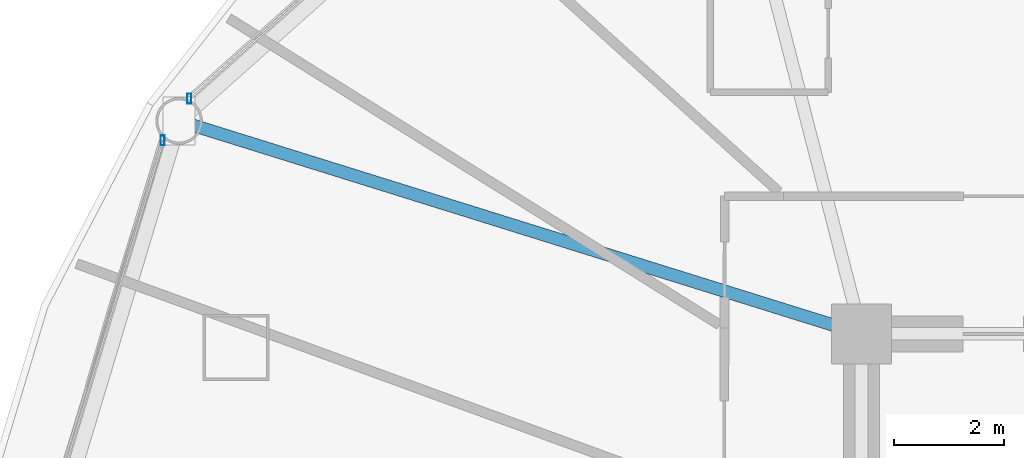
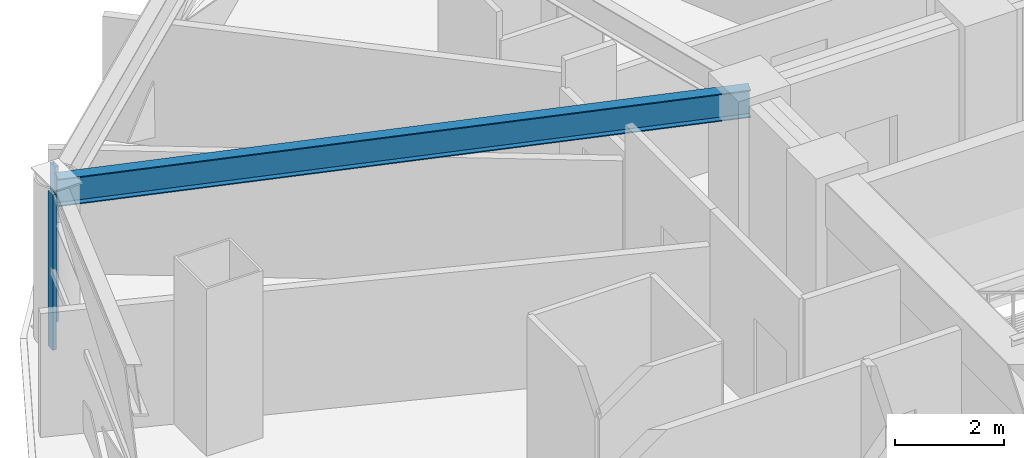
# One storey, part 14 of 31: 2 members, 1 beam, 2 elements without a shape of their own.
"""IFC4 building model written with IfcOpenShell, lengths in metres."""

import ifcopenshell
import ifcopenshell.guid

model = None  # the IFC model being written
_history = None  # IfcOwnerHistory: only IFC2X3 demands one
_inside = {}  # id of a spatial element -> (the spatial element, [elements in it])
_under = {}  # id of a project, library or spatial element -> (it, [spatial elements below it])
_declared = {}  # id of a project -> (the project, [libraries it declares])
_typed = {}  # id of a type object -> (the type object, [elements of that type])
_made_of = {}  # id of a material, layer set ... -> (it, [elements and type objects made of it])


def new_model(schema):
    """Start an empty IFC model of exactly this schema.

    Asked for "IFC4X3", IfcOpenShell would pick the latest addendum, in which some entities
    have other attributes; the version numbers below select the first issue.
    IFC2X3 requires an IfcOwnerHistory on every rooted entity: one is made here for all.
    """
    global model, _history
    if schema == "IFC4X3":
        model = ifcopenshell.file(schema_version=(4, 3, 0, 0))
    else:
        model = ifcopenshell.file(schema=schema)
    _inside.clear()
    _under.clear()
    _declared.clear()
    _typed.clear()
    _made_of.clear()
    _history = None
    if model.schema == "IFC2X3":
        org = make("IfcOrganization", Name="unknown")
        user = make(
            "IfcPersonAndOrganization",
            ThePerson=make("IfcPerson", FamilyName="unknown"),
            TheOrganization=org,
        )
        app = make(
            "IfcApplication",
            ApplicationDeveloper=org,
            Version="unknown",
            ApplicationFullName="unknown",
            ApplicationIdentifier="unknown",
        )
        _history = make(
            "IfcOwnerHistory",
            OwningUser=user,
            OwningApplication=app,
            ChangeAction="ADDED",
            CreationDate=0,
        )
    return model


def make(cls, **values):
    """One entity of the class cls with the attributes given. An attribute that is None is left unset."""
    return model.create_entity(
        cls, **{name: value for name, value in values.items() if value is not None}
    )


def rooted(cls, **values):
    """An entity with a GlobalId (a new one), such as an element, a storey or a relation."""
    return make(cls, GlobalId=ifcopenshell.guid.new(), OwnerHistory=_history, **values)


def si_unit(unit_type, name, prefix=None):
    """IfcSIUnit, for example si_unit("LENGTHUNIT", "METRE", prefix="MILLI")."""
    return make("IfcSIUnit", UnitType=unit_type, Prefix=prefix, Name=name)


def assignment(units):
    """IfcUnitAssignment: the units of a project."""
    return None if units is None else make("IfcUnitAssignment", Units=units)


def point(xyz):
    """IfcCartesianPoint."""
    return None if xyz is None else make("IfcCartesianPoint", Coordinates=xyz)


def direction(xyz):
    """IfcDirection."""
    return None if xyz is None else make("IfcDirection", DirectionRatios=xyz)


def frame(location, z_axis=None, x_axis=None):
    """IfcAxis2Placement3D, a coordinate frame: its origin and axes. An axis left out is left unset."""
    return make(
        "IfcAxis2Placement3D",
        Location=point(location),
        Axis=direction(z_axis),
        RefDirection=direction(x_axis),
    )


def frame_2d(location, x_axis=None):
    """IfcAxis2Placement2D, a coordinate frame in the plane: its origin and x axis."""
    return make(
        "IfcAxis2Placement2D", Location=point(location), RefDirection=direction(x_axis)
    )


def origin():
    """The frame at (0, 0, 0) with its axes left unset."""
    return frame((0.0, 0.0, 0.0))


def origin_2d():
    """The frame at (0, 0) in the plane with its x axis left unset."""
    return frame_2d((0.0, 0.0))


def place(relative_to, where):
    """IfcLocalPlacement: puts the frame where relative to a parent placement (None: the world)."""
    return make(
        "IfcLocalPlacement", PlacementRelTo=relative_to, RelativePlacement=where
    )


def context(
    kind, dimensions, precision=None, world=None, true_north=None, identifier=None
):
    """IfcGeometricRepresentationContext, for example the 3D "Model" context."""
    return make(
        "IfcGeometricRepresentationContext",
        ContextIdentifier=identifier,
        ContextType=kind,
        CoordinateSpaceDimension=dimensions,
        Precision=precision,
        WorldCoordinateSystem=world,
        TrueNorth=true_north,
    )


def subcontext(parent, identifier, kind, view, scale=None):
    """IfcGeometricRepresentationSubContext, for example "Body" below "Model"."""
    return make(
        "IfcGeometricRepresentationSubContext",
        ContextIdentifier=identifier,
        ContextType=kind,
        ParentContext=parent,
        TargetScale=scale,
        TargetView=view,
    )


def project(units=None, contexts=None):
    """IfcProject with its units and contexts."""
    return rooted(
        "IfcProject",
        Name="project",
        RepresentationContexts=contexts,
        UnitsInContext=assignment(units),
    )


def spatial(cls, under=None, at=None, **own):
    """A site, building, storey or space (cls), placed at a placement, below another one or the project."""
    s = rooted(cls, ObjectPlacement=at, **own)
    if under is not None:
        _under.setdefault(under.id(), (under, []))[1].append(s)
    return s


def profile(cls, at=None, kind="AREA", **sizes):
    """A parametric profile (cls). Its sizes go by their IFC names, for example OverallWidth=200.0."""
    return make(cls, ProfileType=kind, Position=at, **sizes)


def hollow_rectangle(**sizes):
    """IfcRectangleHollowProfileDef."""
    return profile("IfcRectangleHollowProfileDef", **sizes)


def i_section(**sizes):
    """IfcIShapeProfileDef."""
    return profile("IfcIShapeProfileDef", **sizes)


def extrude(swept, where, along, depth):
    """IfcExtrudedAreaSolid: the profile swept, set in the frame where, extruded along a direction by depth."""
    return make(
        "IfcExtrudedAreaSolid",
        SweptArea=swept,
        Position=where,
        ExtrudedDirection=direction(along),
        Depth=depth,
    )


def shape(context_of_items, identifier, shape_type, items):
    """IfcShapeRepresentation: the items that make up one representation, for example the "Body"."""
    return make(
        "IfcShapeRepresentation",
        ContextOfItems=context_of_items,
        RepresentationIdentifier=identifier,
        RepresentationType=shape_type,
        Items=items,
    )


def material(Name=None, Category=None):
    """IfcMaterial."""
    return make("IfcMaterial", Name=Name, Category=Category)


def layer(
    of_material, thickness, ventilated=None, Name=None, Category=None, Priority=None
):
    """IfcMaterialLayer: one layer of a wall or slab, of a material (None: an air gap)."""
    return make(
        "IfcMaterialLayer",
        Material=of_material,
        LayerThickness=thickness,
        IsVentilated=ventilated,
        Name=Name,
        Category=Category,
        Priority=Priority,
    )


def layer_set(layers, Name=None):
    """IfcMaterialLayerSet."""
    return make("IfcMaterialLayerSet", MaterialLayers=layers, LayerSetName=Name)


def material_profile(
    of_material, cross_section, Name=None, Category=None, Priority=None
):
    """IfcMaterialProfile: a cross section and its material."""
    return make(
        "IfcMaterialProfile",
        Name=Name,
        Material=of_material,
        Profile=cross_section,
        Priority=Priority,
        Category=Category,
    )


def profile_set(profiles, Name=None, composite=None):
    """IfcMaterialProfileSet."""
    return make(
        "IfcMaterialProfileSet",
        Name=Name,
        MaterialProfiles=profiles,
        CompositeProfile=composite,
    )


def made_of(thing, what):
    """Note that an element or type object is made of a material, layer set ...; save() writes the relation."""
    if what is not None:
        _made_of.setdefault(what.id(), (what, []))[1].append(thing)
    return thing


def type_object(cls, material=None, **own):
    """A type object (cls), such as IfcWallType, which elements share."""
    return made_of(rooted(cls, **own), material)


def element(
    cls,
    number,
    at=None,
    inside=None,
    cuts=None,
    type_object=None,
    material=None,
    context=None,
    identifier="Body",
    shape_type=None,
    held_by="IfcProductDefinitionShape",
    body=None,
    shapes=None,
    **own,
):
    """One element of the class cls, such as IfcWall. Its Tag is "e" and its number.

    at: its placement. inside: the storey or other place that contains it. cuts: it is an
    opening in that element (IfcRelVoidsElement). A single representation is given by context,
    identifier, shape_type and body (its items); several are given by shapes. held_by: the class
    of the entity that holds the representations. save() writes the other relations.
    """
    e = rooted(cls, Tag="e%d" % number, ObjectPlacement=at, **own)
    if body is not None:
        shapes = [shape(context, identifier, shape_type, body)]
    if shapes is not None:
        e.Representation = make(held_by, Representations=shapes)
    if inside is not None:
        _inside.setdefault(inside.id(), (inside, []))[1].append(e)
    if cuts is not None:
        rooted(
            "IfcRelVoidsElement", RelatingBuildingElement=cuts, RelatedOpeningElement=e
        )
    if type_object is not None:
        _typed.setdefault(type_object.id(), (type_object, []))[1].append(e)
    return made_of(e, material)


def aggregate(whole, parts):
    """IfcRelAggregates: a whole, such as a stair, and the parts it consists of."""
    return rooted("IfcRelAggregates", RelatingObject=whole, RelatedObjects=parts)


def save(model, path):
    """Write the relations noted so far, then the file.

    IfcRelAggregates (storeys below a building ...), IfcRelContainedInSpatialStructure (elements
    in a storey), IfcRelDefinesByType, IfcRelAssociatesMaterial and IfcRelDeclares: one each for
    every whole, place, type object, material and project.
    """
    for whole, parts in _under.values():
        aggregate(whole, parts)
    for where, things in _inside.values():
        rooted(
            "IfcRelContainedInSpatialStructure",
            RelatedElements=things,
            RelatingStructure=where,
        )
    for kind, things in _typed.values():
        rooted("IfcRelDefinesByType", RelatedObjects=things, RelatingType=kind)
    for what, things in _made_of.values():
        rooted("IfcRelAssociatesMaterial", RelatedObjects=things, RelatingMaterial=what)
    for by, libraries in _declared.values():
        rooted("IfcRelDeclares", RelatingContext=by, RelatedDefinitions=libraries)
    model.write(path)


model = new_model("IFC4")

# Units and contexts
model_context = context("Model", 3, precision=1e-05, world=origin(), true_north=direction((0.0, 1.0)))
body_context = subcontext(model_context, "Body", "Model", "MODEL_VIEW")
ifc_project = project(units=[si_unit("LENGTHUNIT", "METRE"), si_unit("AREAUNIT", "SQUARE_METRE"), si_unit("VOLUMEUNIT", "CUBIC_METRE"), si_unit("PLANEANGLEUNIT", "RADIAN"), si_unit("MASSUNIT", "GRAM", prefix="KILO")], contexts=[model_context])

# Site, building, storey
site_placement = place(None, origin())
site = spatial("IfcSite", under=ifc_project, at=site_placement, CompositionType="ELEMENT")
building_placement = place(site_placement, origin())
building = spatial("IfcBuilding", under=site, at=building_placement, Name="Vantalir Tower", CompositionType="ELEMENT")
storey_placement = place(building_placement, frame((0.0, 0.0, 30.75)))
storey = spatial("IfcBuildingStorey", under=building, at=storey_placement, Name="L06", CompositionType="ELEMENT", Elevation=30.75)

# Beam
ifc_material_1 = material(Name="Steel S355", Category="steel")
ifc_material_profile_1 = material_profile(ifc_material_1, i_section(OverallWidth=0.22998046875, OverallDepth=0.616943359375, WebThickness=0.01318359375, FlangeThickness=0.022216796875, at=origin_2d()), Name="Steel S355")
ifc_profile_set_1 = profile_set([ifc_material_profile_1], Name="Steel S355")
beam_type = type_object("IfcBeamType", Name="BM-RB-610x229", PredefinedType="BEAM", material=ifc_profile_set_1)
beam_placement = place(storey_placement, frame((9.4599609375, 36.33203125, 3.261962890625), z_axis=(0.954597910708, -0.297897346198, 0.0), x_axis=(0.297897346198, 0.954597910708, 0.0)))
element("IfcBeam", 1, at=beam_placement, inside=storey, type_object=beam_type, Name="L06 Radial Floor Beam 06", PredefinedType="BEAM", context=body_context, shape_type="SweptSolid", body=[
    extrude(i_section(OverallWidth=0.22998046875, OverallDepth=0.616943359375, WebThickness=0.01318359375, FlangeThickness=0.022216796875, at=origin_2d()), origin(), (0.0, 0.0, 1.0), 13.031494140625),
])

# Curtain wall, member
ifc_material_2 = material(Name="Champagne-silver PVDF aluminium and double-silver Low-E glass", Category="aluminium")
ifc_layer = layer(ifc_material_2, 0.18994140625)
ifc_layer_set = layer_set([ifc_layer], Name="Champagne-silver PVDF aluminium and double-silver Low-E glass")
curtain_wall_type = type_object("IfcCurtainWallType", Name="CW-DIAMOND-Z1", PredefinedType="USERDEFINED", material=ifc_layer_set)
curtain_wall_1_placement = place(storey_placement, origin())
curtain_wall_1 = element("IfcCurtainWall", 2, at=curtain_wall_1_placement, inside=storey, type_object=curtain_wall_type, Name="L06 Quilted Pyramid-Diamond Curtain Wall S05", ObjectType="UNITISED CURTAIN WALL", PredefinedType="USERDEFINED")
ifc_material_3 = material(Name="Champagne-silver PVDF aluminium 6063-T6", Category="aluminium")
ifc_material_profile_2 = material_profile(ifc_material_3, hollow_rectangle(XDim=0.074951171875, YDim=0.179931640625, WallThickness=0.00390625, at=origin_2d()), Name="Champagne-silver PVDF aluminium 6063-T6")
ifc_profile_set_2 = profile_set([ifc_material_profile_2], Name="Champagne-silver PVDF aluminium 6063-T6")
member_type = type_object("IfcMemberType", Name="CWM-180x75", PredefinedType="MULLION", material=ifc_profile_set_2)
member_1_placement = place(storey_placement, frame((9.64599609375, 36.739990234375, 0.044921875), z_axis=(0.0, 0.0, 1.0), x_axis=(1.0, 0.0, 0.0)))
member_1 = element("IfcMember", 3, at=member_1_placement, type_object=member_type, Name="CW-L06-S05 Mullion 2", PredefinedType="MULLION", context=body_context, shape_type="SweptSolid", body=[
    extrude(hollow_rectangle(XDim=0.074951171875, YDim=0.179931640625, WallThickness=0.00390625, at=origin_2d()), origin(), (0.0, 0.0, 1.0), 3.47998046875),
])
aggregate(curtain_wall_1, [member_1])

curtain_wall_2_placement = place(storey_placement, origin())
curtain_wall_2 = element("IfcCurtainWall", 4, at=curtain_wall_2_placement, inside=storey, type_object=curtain_wall_type, Name="L06 Quilted Pyramid-Diamond Curtain Wall S06", ObjectType="UNITISED CURTAIN WALL", PredefinedType="USERDEFINED")
member_2_placement = place(storey_placement, frame((9.159912109375, 35.97705078125, 0.044921875), z_axis=(0.0, 0.0, 1.0), x_axis=(1.0, 0.0, 0.0)))
member_2 = element("IfcMember", 5, at=member_2_placement, type_object=member_type, Name="CW-L06-S06 Mullion 1", PredefinedType="MULLION", context=body_context, shape_type="SweptSolid", body=[
    extrude(hollow_rectangle(XDim=0.074951171875, YDim=0.179931640625, WallThickness=0.00390625, at=origin_2d()), origin(), (0.0, 0.0, 1.0), 3.47998046875),
])
aggregate(curtain_wall_2, [member_2])

save(model, "model.ifc")
